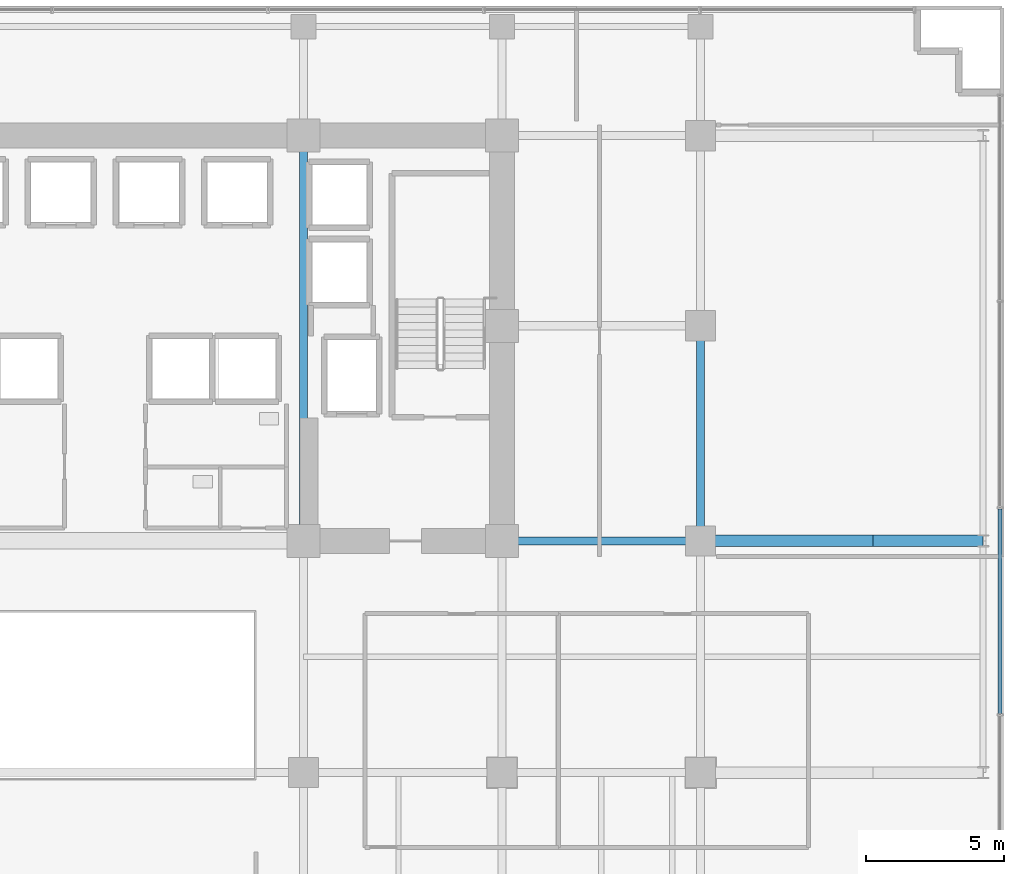
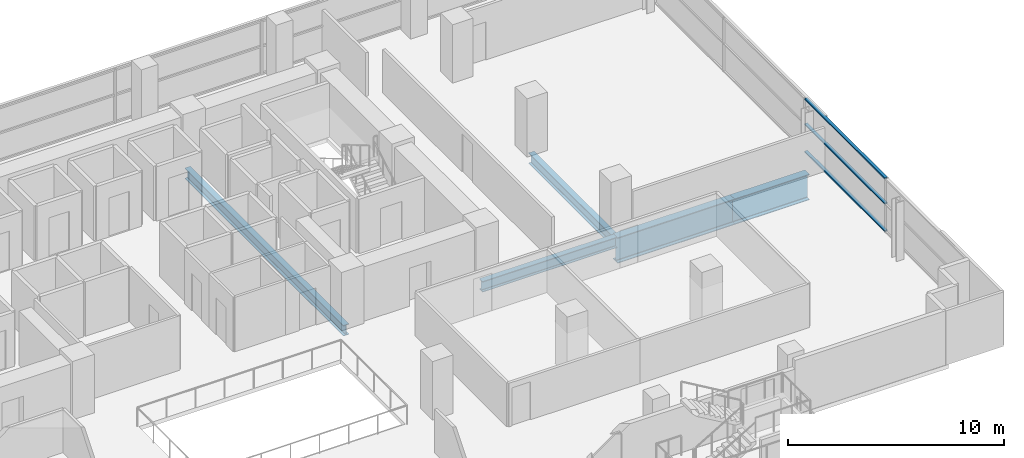
# One storey, part 14 of 31: 5 beams, 3 members, 1 element without a shape of its own.
"""IFC4 building model written with IfcOpenShell, lengths in metres."""

from ifc_helpers import new_model, si_unit, direction, frame, origin, origin_2d, place, context, subcontext, project, spatial, hollow_rectangle, i_section, extrude, source, transform, mapped, material, layer, layer_set, material_profile, profile_set, type_object, element, aggregate, save


model = new_model("IFC4")

# Units and contexts
model_context = context("Model", 3, precision=1e-05, world=origin(), true_north=direction((0.0, 1.0)))
body_context = subcontext(model_context, "Body", "Model", "MODEL_VIEW")
ifc_project = project(units=[si_unit("LENGTHUNIT", "METRE"), si_unit("AREAUNIT", "SQUARE_METRE"), si_unit("VOLUMEUNIT", "CUBIC_METRE"), si_unit("PLANEANGLEUNIT", "RADIAN"), si_unit("MASSUNIT", "GRAM", prefix="KILO")], contexts=[model_context])

# Site, building, storey
site_placement = place(None, origin())
site = spatial("IfcSite", under=ifc_project, at=site_placement, CompositionType="ELEMENT")
building_placement = place(site_placement, origin())
building = spatial("IfcBuilding", under=site, at=building_placement, Name="Zarnakvel Exchange Tower", CompositionType="ELEMENT")
storey_placement = place(building_placement, frame((0.0, 0.0, 53.800048828125)))
storey = spatial("IfcBuildingStorey", under=building, at=storey_placement, Name="L14", CompositionType="ELEMENT", Elevation=53.800048828125)

# Beams
ifc_material_1 = material(Name="Steel S355", Category="steel")
ifc_material_profile_1 = material_profile(ifc_material_1, i_section(OverallWidth=0.300048828125, OverallDepth=0.60009765625, WebThickness=0.015380859375, FlangeThickness=0.030029296875, FilletRadius=0.027099609375, at=origin_2d()))
ifc_profile_set_1 = profile_set([ifc_material_profile_1], Name="Steel S355")
beam_type_1 = type_object("IfcBeamType", Name="G-04", PredefinedType="BEAM", material=ifc_profile_set_1)
beam_1_placement = place(storey_placement, frame((14.39990234375, -1.199951171875, -0.525146484375), z_axis=(1.0, 0.0, 0.0), x_axis=(0.0, 1.0, 0.0)))
element("IfcBeam", 1, at=beam_1_placement, inside=storey, type_object=beam_type_1, Name="L14 Tower E-W Frame Beam", PredefinedType="BEAM", context=body_context, shape_type="SweptSolid", body=[
    extrude(i_section(OverallWidth=0.300048828125, OverallDepth=0.60009765625, WebThickness=0.015380859375, FlangeThickness=0.030029296875, FilletRadius=0.027099609375, at=origin_2d()), origin(), (0.0, 0.0, 1.0), 7.2001953125),
])
beam_2_placement = place(storey_placement, frame((7.199951171875, -1.199951171875, -0.525146484375), z_axis=(0.0, 1.0, 0.0), x_axis=(-1.0, 0.0, 0.0)))
element("IfcBeam", 2, at=beam_2_placement, inside=storey, type_object=beam_type_1, Name="L14 Tower N-S Frame Beam", PredefinedType="BEAM", context=body_context, shape_type="SweptSolid", body=[
    extrude(i_section(OverallWidth=0.300048828125, OverallDepth=0.60009765625, WebThickness=0.015380859375, FlangeThickness=0.030029296875, FilletRadius=0.027099609375, at=origin_2d()), origin(), (0.0, 0.0, 1.0), 14.699951171875),
])
beam_3_placement = place(storey_placement, frame((21.60009765625, -1.199951171875, -0.525146484375), z_axis=(0.0, 1.0, 0.0), x_axis=(-1.0, 0.0, 0.0)))
element("IfcBeam", 3, at=beam_3_placement, inside=storey, type_object=beam_type_1, Name="L14 Tower N-S Frame Beam", PredefinedType="BEAM", context=body_context, shape_type="SweptSolid", body=[
    extrude(i_section(OverallWidth=0.300048828125, OverallDepth=0.60009765625, WebThickness=0.015380859375, FlangeThickness=0.030029296875, FilletRadius=0.027099609375, at=origin_2d()), origin(), (0.0, 0.0, 1.0), 7.800048828125),
])
ifc_material_2 = material(Name="Steel S460", Category="steel")
ifc_material_profile_2 = material_profile(ifc_material_2, i_section(OverallWidth=0.419921875, OverallDepth=1.449951171875, WebThickness=0.02392578125, FlangeThickness=0.0400390625, FilletRadius=0.030029296875, at=origin_2d()))
ifc_profile_set_2 = profile_set([ifc_material_profile_2], Name="Steel S460")
beam_type_2 = type_object("IfcBeamType", Name="TG-01", PredefinedType="BEAM", material=ifc_profile_set_2)
beam_4_placement = place(storey_placement, frame((21.60009765625, -1.199951171875, -0.949951171875), z_axis=(1.0, 0.0, 0.0), x_axis=(0.0, 1.0, 0.0)))
element("IfcBeam", 4, at=beam_4_placement, inside=storey, type_object=beam_type_2, Name="L14 Block-Shift Backspan Transfer TE-D", PredefinedType="BEAM", context=body_context, shape_type="SweptSolid", body=[
    extrude(i_section(OverallWidth=0.419921875, OverallDepth=1.449951171875, WebThickness=0.02392578125, FlangeThickness=0.0400390625, FilletRadius=0.030029296875, at=origin_2d()), origin(), (0.0, 0.0, 1.0), 6.25),
])
beam_5_placement = place(storey_placement, frame((27.85009765625, -1.199951171875, -0.949951171875), z_axis=(1.0, 0.0, 0.0), x_axis=(0.0, 1.0, 0.0)))
element("IfcBeam", 5, at=beam_5_placement, inside=storey, type_object=beam_type_2, Name="L14 Block-Shift Cantilever Transfer TE-D", PredefinedType="BEAM", context=body_context, shape_type="SweptSolid", body=[
    extrude(i_section(OverallWidth=0.419921875, OverallDepth=1.449951171875, WebThickness=0.02392578125, FlangeThickness=0.0400390625, FilletRadius=0.030029296875, at=origin_2d()), origin(), (0.0, 0.0, 1.0), 4.0),
])

# Curtain wall, members
ifc_material_3 = material(Name="Architectural Bronze Anodised Aluminium", Category="aluminium")
ifc_layer = layer(ifc_material_3, 0.199951171875)
ifc_layer_set = layer_set([ifc_layer], Name="Architectural Bronze Anodised Aluminium")
curtain_wall_type = type_object("IfcCurtainWallType", Name="CW-04", PredefinedType="NOTDEFINED", material=ifc_layer_set)
curtain_wall_placement = place(storey_placement, origin())
curtain_wall = element("IfcCurtainWall", 6, at=curtain_wall_placement, inside=storey, type_object=curtain_wall_type, Name="L14 Curtain Wall CW-L14-E1 (CW-04)", PredefinedType="NOTDEFINED")
ifc_material_profile_3 = material_profile(ifc_material_3, hollow_rectangle(XDim=0.159912109375, YDim=0.074951171875, WallThickness=0.00390625, at=origin_2d()))
ifc_profile_set_3 = profile_set([ifc_material_profile_3], Name="Architectural Bronze Anodised Aluminium")
member_type = type_object("IfcMemberType", Name="CWT-04", PredefinedType="USERDEFINED", material=ifc_profile_set_3)
shared_shape = source(origin(), body_context, "Body", "SweptSolid", [
    extrude(hollow_rectangle(XDim=0.159912109375, YDim=0.074951171875, WallThickness=0.00390625, at=origin_2d()), origin(), (0.0, 0.0, 1.0), 7.4248046875),
])
member_1_placement = place(storey_placement, frame((32.4599609375, -7.46240234375, 0.037353515625), z_axis=(0.0, 1.0, 0.0), x_axis=(-1.0, 0.0, 0.0)))
member_1 = element("IfcMember", 7, at=member_1_placement, type_object=member_type, Name="CW-04 transom 2.1", ObjectType="TRANSOM", PredefinedType="USERDEFINED", context=body_context, shape_type="MappedRepresentation", body=[
    mapped(shared_shape, transform((0.0, 0.0, 0.0), x_axis=(1.0, 0.0, 0.0), y_axis=(0.0, 1.0, 0.0), z_axis=(0.0, 0.0, 1.0), scale=1.0)),
])
member_2_placement = place(storey_placement, frame((32.4599609375, -7.46240234375, 1.588623046875), z_axis=(0.0, 1.0, 0.0), x_axis=(-1.0, 0.0, 0.0)))
member_2 = element("IfcMember", 8, at=member_2_placement, type_object=member_type, Name="CW-04 transom 2.2", ObjectType="TRANSOM", PredefinedType="USERDEFINED", context=body_context, shape_type="MappedRepresentation", body=[
    mapped(shared_shape, transform((0.0, 0.0, 0.0), x_axis=(1.0, 0.0, 0.0), y_axis=(0.0, 1.0, 0.0), z_axis=(0.0, 0.0, 1.0), scale=1.0)),
])
member_3_placement = place(storey_placement, frame((32.4599609375, -7.46240234375, 3.017333984375), z_axis=(0.0, 1.0, 0.0), x_axis=(-1.0, 0.0, 0.0)))
member_3 = element("IfcMember", 9, at=member_3_placement, type_object=member_type, Name="CW-04 transom 2.3", ObjectType="TRANSOM", PredefinedType="USERDEFINED", context=body_context, shape_type="MappedRepresentation", body=[
    mapped(shared_shape, transform((0.0, 0.0, 0.0), x_axis=(1.0, 0.0, 0.0), y_axis=(0.0, 1.0, 0.0), z_axis=(0.0, 0.0, 1.0), scale=1.0)),
])
aggregate(curtain_wall, [member_1, member_2, member_3])

save(model, "model.ifc")
